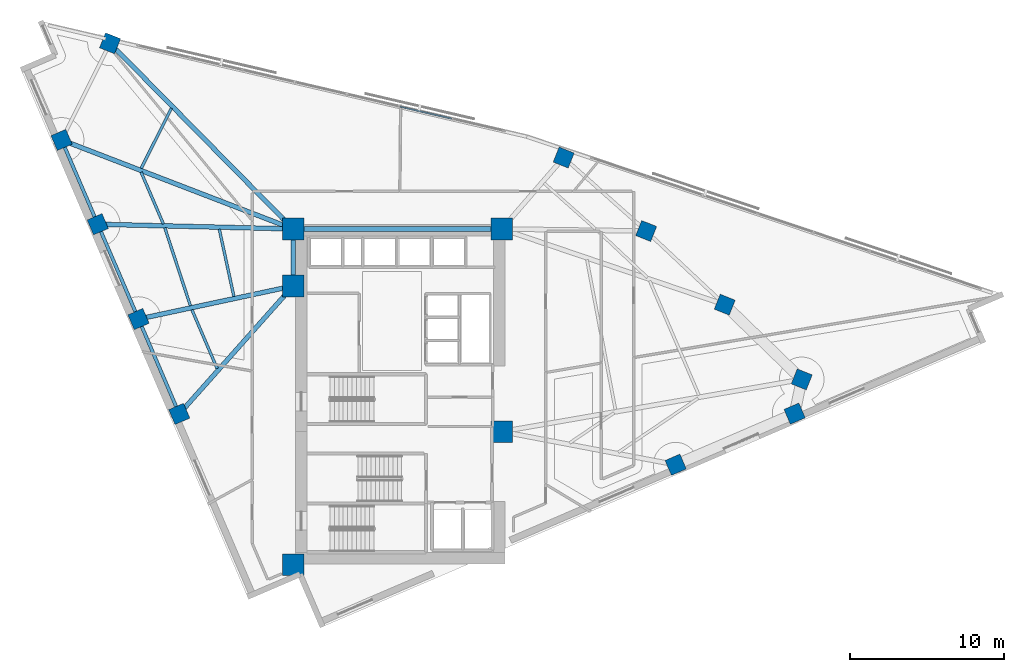
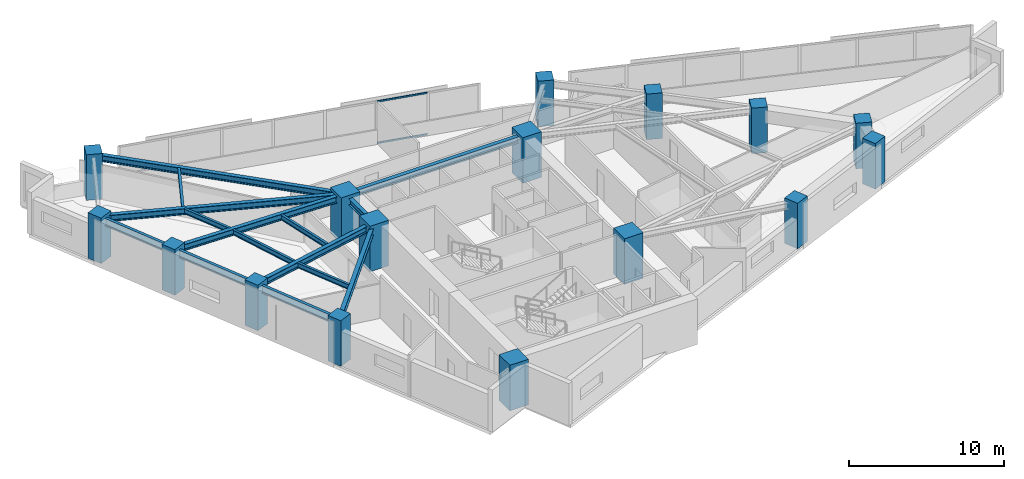
# One storey, part 1 of 14: 16 columns, 15 beams, 2 members, 1 element without a shape of its own.
"""IFC4 building model written with IfcOpenShell, lengths in metres."""

from ifc_helpers import new_model, si_unit, direction, frame, origin, origin_2d, place, context, subcontext, project, spatial, rectangle, hollow_rectangle, i_section, extrude, material, material_profile, profile_set, type_object, element, aggregate, save


model = new_model("IFC4")

# Units and contexts
model_context = context("Model", 3, precision=1e-05, world=origin(), true_north=direction((0.0, 1.0)))
body_context = subcontext(model_context, "Body", "Model", "MODEL_VIEW")
ifc_project = project(units=[si_unit("LENGTHUNIT", "METRE"), si_unit("AREAUNIT", "SQUARE_METRE"), si_unit("VOLUMEUNIT", "CUBIC_METRE"), si_unit("PLANEANGLEUNIT", "RADIAN"), si_unit("MASSUNIT", "GRAM", prefix="KILO")], contexts=[model_context])

# Site, building, storey
site_placement = place(None, origin())
site = spatial("IfcSite", under=ifc_project, at=site_placement, CompositionType="ELEMENT")
building_placement = place(site_placement, origin())
building = spatial("IfcBuilding", under=site, at=building_placement, Name="Narakoshi Arena Tower", CompositionType="ELEMENT")
storey_placement = place(building_placement, frame((0.0, 0.0, 168.300048828125)))
storey = spatial("IfcBuildingStorey", under=building, at=storey_placement, Name="L45", CompositionType="ELEMENT", Elevation=168.300048828125)

# Columns
ifc_material_1 = material(Name="Concrete C50/60", Category="concrete")
ifc_material_profile_1 = material_profile(ifc_material_1, rectangle(XDim=1.050048828125, YDim=1.050048828125, at=origin_2d()), Name="RC1050x1050")
ifc_profile_set_1 = profile_set([ifc_material_profile_1], Name="Concrete C50/60")
column_type_1 = type_object("IfcColumnType", Name="COL-RC1050", PredefinedType="COLUMN", material=ifc_profile_set_1)
for number, where, z_axis, x_axis, name in (
    (1, (96.830078125, 41.2001953125, 0.0), (0.0, 0.0, 1.0), (0.918791210149, 0.394743856384, 0.0), "L45 Tower Perimeter Column TC02"),
    (2, (104.54931640625, 44.5166015625, 0.0), (0.0, 0.0, 1.0), (0.918791210149, 0.394743856384, 0.0), "L45 Tower Perimeter Column TC03"),
    (3, (105.010009765625, 46.73876953125, 0.0), (0.0, 0.0, 1.0), (0.37055743751, 0.928809552872, 0.0), "L45 Tower Perimeter Column TC05"),
    (4, (100.012939453125, 51.58544921875, 0.0), (0.0, 0.0, 1.0), (0.37055743751, 0.928809552872, 0.0), "L45 Tower Perimeter Column TC06"),
    (5, (94.914794921875, 56.36669921875, 0.0), (0.0, 0.0, 1.0), (0.37055743751, 0.928809552872, 0.0), "L45 Tower Perimeter Column TC07"),
    (6, (89.5615234375, 61.134765625, 0.0), (0.0, 0.0, 1.0), (0.37055743751, 0.928809552872, 0.0), "L45 Tower Perimeter Column TC08"),
    (7, (60.12158203125, 68.55126953125, 0.0), (0.0, 0.0, 1.0), (0.37055743751, 0.928809552872, 0.0), "L45 Tower Perimeter Column TC10"),
    (8, (56.9755859375, 62.278564453125, 0.0), (0.0, 0.0, 1.0), (-0.394743856384, 0.918791210149, 0.0), "L45 Tower Perimeter Column TC13"),
    (9, (59.326171875, 56.807373046875, 0.0), (0.0, 0.0, 1.0), (-0.394743856384, 0.918791210149, 0.0), "L45 Tower Perimeter Column TC14"),
    (10, (61.970458984375, 50.652587890625, 0.0), (0.0, 0.0, 1.0), (-0.394743856384, 0.918791210149, 0.0), "L45 Tower Perimeter Column TC15"),
    (11, (64.61474609375, 44.49755859375, 0.0), (0.0, 0.0, 1.0), (-0.394743856384, 0.918791210149, 0.0), "L45 Tower Perimeter Column TC16"),
):
    element("IfcColumn", number, at=place(storey_placement, frame(where, z_axis=z_axis, x_axis=x_axis)), inside=storey, type_object=column_type_1, Name=name, PredefinedType="COLUMN", context=body_context, shape_type="SweptSolid", body=[
        extrude(rectangle(XDim=1.050048828125, YDim=1.050048828125, at=origin_2d()), origin(), (0.0, 0.0, 1.0), 3.599853515625),
    ])
ifc_material_2 = material(Name="Concrete C60/75", Category="concrete")
ifc_material_profile_2 = material_profile(ifc_material_2, rectangle(XDim=1.39990234375, YDim=1.39990234375, at=origin_2d()), Name="RC1400x1400")
ifc_profile_set_2 = profile_set([ifc_material_profile_2], Name="Concrete C60/75")
column_type_2 = type_object("IfcColumnType", Name="COL-RC1400", PredefinedType="COLUMN", material=ifc_profile_set_2)
for number, where, z_axis, x_axis, name in (
    (12, (72.0, 34.699951171875, 0.0), (0.0, 0.0, 1.0), (1.0, 0.0, 0.0), "L45 Core Structural Column CC1"),
    (13, (85.550048828125, 43.35009765625, 0.0), (0.0, 0.0, 1.0), (1.0, 0.0, 0.0), "L45 Core Structural Column CC3"),
    (14, (72.0, 52.800048828125, 0.0), (0.0, 0.0, 1.0), (1.0, 0.0, 0.0), "L45 Core Structural Column CC4"),
    (15, (72.0, 56.5, 0.0), (0.0, 0.0, 1.0), (1.0, 0.0, 0.0), "L45 Core Structural Column CC5"),
    (16, (85.550048828125, 56.5, 0.0), (0.0, 0.0, 1.0), (1.0, 0.0, 0.0), "L45 Core Structural Column CC6"),
):
    element("IfcColumn", number, at=place(storey_placement, frame(where, z_axis=z_axis, x_axis=x_axis)), inside=storey, type_object=column_type_2, Name=name, PredefinedType="COLUMN", context=body_context, shape_type="SweptSolid", body=[
        extrude(rectangle(XDim=1.39990234375, YDim=1.39990234375, at=origin_2d()), origin(), (0.0, 0.0, 1.0), 3.599853515625),
    ])

# Beams
ifc_material_3 = material(Name="Structural steel S355J2", Category="steel")
ifc_material_profile_3 = material_profile(ifc_material_3, i_section(OverallWidth=0.219970703125, OverallDepth=0.60009765625, WebThickness=0.011962890625, FlangeThickness=0.01904296875, FilletRadius=0.02392578125, at=origin_2d()), Name="IPE600")
ifc_profile_set_3 = profile_set([ifc_material_profile_3], Name="Structural steel S355J2")
beam_type_1 = type_object("IfcBeamType", Name="BM-EDGE-600", PredefinedType="BEAM", material=ifc_profile_set_3)
beam_1_placement = place(storey_placement, frame((56.9755859375, 62.278564453125, 3.0400390625), z_axis=(0.394740539552, -0.918792635165, 0.0), x_axis=(0.918792635165, 0.394740539552, 0.0)))
element("IfcBeam", 17, at=beam_1_placement, inside=storey, type_object=beam_type_1, Name="L45 Perimeter Edge Girder 08", PredefinedType="BEAM", context=body_context, shape_type="SweptSolid", body=[
    extrude(i_section(OverallWidth=0.219970703125, OverallDepth=0.60009765625, WebThickness=0.011962890625, FlangeThickness=0.01904296875, FilletRadius=0.02392578125, at=origin_2d()), origin(), (0.0, 0.0, 1.0), 5.954833984375),
])
beam_2_placement = place(storey_placement, frame((59.326171875, 56.807373046875, 3.0400390625), z_axis=(0.394741679056, -0.9187921456, 0.0), x_axis=(0.9187921456, 0.394741679056, 0.0)))
element("IfcBeam", 18, at=beam_2_placement, inside=storey, type_object=beam_type_1, Name="L45 Perimeter Edge Girder 09", PredefinedType="BEAM", context=body_context, shape_type="SweptSolid", body=[
    extrude(i_section(OverallWidth=0.219970703125, OverallDepth=0.60009765625, WebThickness=0.011962890625, FlangeThickness=0.01904296875, FilletRadius=0.02392578125, at=origin_2d()), origin(), (0.0, 0.0, 1.0), 6.69873046875),
])
beam_3_placement = place(storey_placement, frame((61.970458984375, 50.652587890625, 3.0400390625), z_axis=(0.394728461185, -0.918797824296, 0.0), x_axis=(0.918797824296, 0.394728461185, 0.0)))
element("IfcBeam", 19, at=beam_3_placement, inside=storey, type_object=beam_type_1, Name="L45 Perimeter Edge Girder 10", PredefinedType="BEAM", context=body_context, shape_type="SweptSolid", body=[
    extrude(i_section(OverallWidth=0.219970703125, OverallDepth=0.60009765625, WebThickness=0.011962890625, FlangeThickness=0.01904296875, FilletRadius=0.02392578125, at=origin_2d()), origin(), (0.0, 0.0, 1.0), 6.698974609375),
])
ifc_material_profile_4 = material_profile(ifc_material_3, i_section(OverallWidth=0.300048828125, OverallDepth=0.5, WebThickness=0.014404296875, FlangeThickness=0.028076171875, FilletRadius=0.027099609375, at=origin_2d()), Name="HE500B")
ifc_profile_set_4 = profile_set([ifc_material_profile_4], Name="Structural steel S355J2")
beam_type_2 = type_object("IfcBeamType", Name="BM-PRI-500", PredefinedType="BEAM", material=ifc_profile_set_4)
beam_4_placement = place(storey_placement, frame((72.0, 56.5, 3.08984375), z_axis=(-0.701980816252, 0.71219585341, 0.0), x_axis=(-0.71219585341, -0.701980816252, 0.0)))
element("IfcBeam", 20, at=beam_4_placement, inside=storey, type_object=beam_type_2, Name="L45 Radial Primary Floor Girder 07", PredefinedType="BEAM", context=body_context, shape_type="SweptSolid", body=[
    extrude(i_section(OverallWidth=0.300048828125, OverallDepth=0.5, WebThickness=0.014404296875, FlangeThickness=0.028076171875, FilletRadius=0.027099609375, at=origin_2d()), origin(), (0.0, 0.0, 1.0), 16.92138671875),
])
beam_5_placement = place(storey_placement, frame((72.0, 56.5, 3.08984375), z_axis=(-0.933346778866, 0.35897603037, 0.0), x_axis=(-0.35897603037, -0.933346778866, 0.0)))
element("IfcBeam", 21, at=beam_5_placement, inside=storey, type_object=beam_type_2, Name="L45 Radial Primary Floor Girder 08", PredefinedType="BEAM", context=body_context, shape_type="SweptSolid", body=[
    extrude(i_section(OverallWidth=0.300048828125, OverallDepth=0.5, WebThickness=0.014404296875, FlangeThickness=0.028076171875, FilletRadius=0.027099609375, at=origin_2d()), origin(), (0.0, 0.0, 1.0), 16.097412109375),
])
beam_6_placement = place(storey_placement, frame((72.0, 56.5, 3.08984375), z_axis=(-0.999706035824, 0.024245451901, 0.0), x_axis=(-0.024245451901, -0.999706035824, 0.0)))
element("IfcBeam", 22, at=beam_6_placement, inside=storey, type_object=beam_type_2, Name="L45 Radial Primary Floor Girder 09", PredefinedType="BEAM", context=body_context, shape_type="SweptSolid", body=[
    extrude(i_section(OverallWidth=0.300048828125, OverallDepth=0.5, WebThickness=0.014404296875, FlangeThickness=0.028076171875, FilletRadius=0.027099609375, at=origin_2d()), origin(), (0.0, 0.0, 1.0), 12.677490234375),
])
beam_7_placement = place(storey_placement, frame((72.0, 52.800048828125, 3.08984375), z_axis=(-0.977836885657, -0.209368156721, 0.0), x_axis=(0.209368156721, -0.977836885657, 0.0)))
element("IfcBeam", 23, at=beam_7_placement, inside=storey, type_object=beam_type_2, Name="L45 Radial Primary Floor Girder 10", PredefinedType="BEAM", context=body_context, shape_type="SweptSolid", body=[
    extrude(i_section(OverallWidth=0.300048828125, OverallDepth=0.5, WebThickness=0.014404296875, FlangeThickness=0.028076171875, FilletRadius=0.027099609375, at=origin_2d()), origin(), (0.0, 0.0, 1.0), 10.2568359375),
])
beam_8_placement = place(storey_placement, frame((72.0, 52.800048828125, 3.08984375), z_axis=(-0.664628360587, -0.747174104412, 0.0), x_axis=(0.747174104412, -0.664628360587, 0.0)))
element("IfcBeam", 24, at=beam_8_placement, inside=storey, type_object=beam_type_2, Name="L45 Radial Primary Floor Girder 11", PredefinedType="BEAM", context=body_context, shape_type="SweptSolid", body=[
    extrude(i_section(OverallWidth=0.300048828125, OverallDepth=0.5, WebThickness=0.014404296875, FlangeThickness=0.028076171875, FilletRadius=0.027099609375, at=origin_2d()), origin(), (0.0, 0.0, 1.0), 11.11181640625),
])
beam_9_placement = place(storey_placement, frame((72.0, 52.800048828125, 3.08984375), z_axis=(0.0, 1.0, 0.0), x_axis=(-1.0, 0.0, 0.0)))
element("IfcBeam", 25, at=beam_9_placement, inside=storey, type_object=beam_type_2, Name="L45 Core Perimeter Frame Beam CC4-CC5", PredefinedType="BEAM", context=body_context, shape_type="SweptSolid", body=[
    extrude(i_section(OverallWidth=0.300048828125, OverallDepth=0.5, WebThickness=0.014404296875, FlangeThickness=0.028076171875, FilletRadius=0.027099609375, at=origin_2d()), origin(), (0.0, 0.0, 1.0), 3.699951171875),
])
beam_10_placement = place(storey_placement, frame((72.0, 56.5, 3.08984375), z_axis=(1.0, 0.0, 0.0), x_axis=(0.0, 1.0, 0.0)))
element("IfcBeam", 26, at=beam_10_placement, inside=storey, type_object=beam_type_2, Name="L45 Core Perimeter Frame Beam CC5-CC6", PredefinedType="BEAM", context=body_context, shape_type="SweptSolid", body=[
    extrude(i_section(OverallWidth=0.300048828125, OverallDepth=0.5, WebThickness=0.014404296875, FlangeThickness=0.028076171875, FilletRadius=0.027099609375, at=origin_2d()), origin(), (0.0, 0.0, 1.0), 13.550048828125),
])
ifc_material_profile_5 = material_profile(ifc_material_3, i_section(OverallWidth=0.179931640625, OverallDepth=0.39990234375, WebThickness=0.008544921875, FlangeThickness=0.013427734375, FilletRadius=0.02099609375, at=origin_2d()), Name="IPE400")
ifc_profile_set_5 = profile_set([ifc_material_profile_5], Name="Structural steel S355J2")
beam_type_3 = type_object("IfcBeamType", Name="BM-SEC-400", PredefinedType="JOIST", material=ifc_profile_set_5)
beam_11_placement = place(storey_placement, frame((64.099853515625, 64.333251953125, 3.139892578125), z_axis=(-0.448355109233, -0.893855523015, 0.0), x_axis=(0.893855523015, -0.448355109233, 0.0)))
element("IfcBeam", 27, at=beam_11_placement, inside=storey, type_object=beam_type_3, Name="L45 Composite Secondary Floor Joist 07", PredefinedType="JOIST", context=body_context, shape_type="SweptSolid", body=[
    extrude(i_section(OverallWidth=0.179931640625, OverallDepth=0.39990234375, WebThickness=0.008544921875, FlangeThickness=0.013427734375, FilletRadius=0.02099609375, at=origin_2d()), origin(), (0.0, 0.0, 1.0), 4.361572265625),
])
beam_12_placement = place(storey_placement, frame((62.13720703125, 60.189697265625, 3.139892578125), z_axis=(0.394700077983, -0.918810017599, 0.0), x_axis=(0.918810017599, 0.394700077983, 0.0)))
element("IfcBeam", 28, at=beam_12_placement, inside=storey, type_object=beam_type_3, Name="L45 Composite Secondary Floor Joist 08", PredefinedType="JOIST", context=body_context, shape_type="SweptSolid", body=[
    extrude(i_section(OverallWidth=0.179931640625, OverallDepth=0.39990234375, WebThickness=0.008544921875, FlangeThickness=0.013427734375, FilletRadius=0.02099609375, at=origin_2d()), origin(), (0.0, 0.0, 1.0), 3.659912109375),
])
beam_13_placement = place(storey_placement, frame((67.21240234375, 56.48486328125, 3.139892578125), z_axis=(0.212001112403, -0.977269424642, 0.0), x_axis=(0.977269424642, 0.212001112403, 0.0)))
element("IfcBeam", 29, at=beam_13_placement, inside=storey, type_object=beam_type_3, Name="L45 Composite Secondary Floor Joist 09", PredefinedType="JOIST", context=body_context, shape_type="SweptSolid", body=[
    extrude(i_section(OverallWidth=0.179931640625, OverallDepth=0.39990234375, WebThickness=0.008544921875, FlangeThickness=0.013427734375, FilletRadius=0.02099609375, at=origin_2d()), origin(), (0.0, 0.0, 1.0), 4.470458984375),
])
beam_14_placement = place(storey_placement, frame((63.67724609375, 56.57470703125, 3.139892578125), z_axis=(0.311702562929, -0.950179726296, 0.0), x_axis=(0.950179726296, 0.311702562929, 0.0)))
element("IfcBeam", 30, at=beam_14_placement, inside=storey, type_object=beam_type_3, Name="L45 Composite Secondary Floor Joist 10", PredefinedType="JOIST", context=body_context, shape_type="SweptSolid", body=[
    extrude(i_section(OverallWidth=0.179931640625, OverallDepth=0.39990234375, WebThickness=0.008544921875, FlangeThickness=0.013427734375, FilletRadius=0.02099609375, at=origin_2d()), origin(), (0.0, 0.0, 1.0), 5.329345703125),
])
beam_15_placement = place(storey_placement, frame((65.433837890625, 51.258544921875, 3.139892578125), z_axis=(0.394735391015, -0.918794847113, 0.0), x_axis=(0.918794847113, 0.394735391015, 0.0)))
element("IfcBeam", 31, at=beam_15_placement, inside=storey, type_object=beam_type_3, Name="L45 Composite Secondary Floor Joist 11", PredefinedType="JOIST", context=body_context, shape_type="SweptSolid", body=[
    extrude(i_section(OverallWidth=0.179931640625, OverallDepth=0.39990234375, WebThickness=0.008544921875, FlangeThickness=0.013427734375, FilletRadius=0.02099609375, at=origin_2d()), origin(), (0.0, 0.0, 1.0), 4.1513671875),
])

# Curtain wall, members
ifc_material_4 = material(Name="Anodised bronze aluminium 6063-T6", Category="aluminium")
curtain_wall_type = type_object("IfcCurtainWallType", Name="CW-HYP-MID", PredefinedType="NOTDEFINED", material=ifc_material_4)
curtain_wall_placement = place(storey_placement, origin())
curtain_wall = element("IfcCurtainWall", 32, at=curtain_wall_placement, inside=storey, type_object=curtain_wall_type, Name="L45 Folded Hypotenuse Curtain Wall 2-1", PredefinedType="NOTDEFINED")
ifc_material_profile_6 = material_profile(ifc_material_4, hollow_rectangle(XDim=0.06494140625, YDim=0.1298828125, WallThickness=0.00390625, OuterFilletRadius=0.0048828125, at=origin_2d()), Name="TRN130x65x4")
ifc_profile_set_6 = profile_set([ifc_material_profile_6], Name="Anodised bronze aluminium 6063-T6")
member_type = type_object("IfcMemberType", Name="MEM-TRN-130", PredefinedType="USERDEFINED", material=ifc_profile_set_6)
member_1_placement = place(storey_placement, frame((82.27587890625, 63.6611328125, 0.032470703125), z_axis=(-0.973960713384, 0.226716847155, 0.0), x_axis=(-0.226716847155, -0.973960713384, 0.0)))
member_1 = element("IfcMember", 33, at=member_1_placement, type_object=member_type, Name="CW-02 transom 2.1", ObjectType="TRANSOM", PredefinedType="USERDEFINED", context=body_context, shape_type="SweptSolid", body=[
    extrude(hollow_rectangle(XDim=0.06494140625, YDim=0.1298828125, WallThickness=0.00390625, OuterFilletRadius=0.0048828125, at=origin_2d()), origin(), (0.0, 0.0, 1.0), 3.416748046875),
])
member_2_placement = place(storey_placement, frame((82.27587890625, 63.6611328125, 3.307373046875), z_axis=(-0.973960713384, 0.226716847155, 0.0), x_axis=(-0.226716847155, -0.973960713384, 0.0)))
member_2 = element("IfcMember", 34, at=member_2_placement, type_object=member_type, Name="CW-02 transom 2.2", ObjectType="TRANSOM", PredefinedType="USERDEFINED", context=body_context, shape_type="SweptSolid", body=[
    extrude(hollow_rectangle(XDim=0.06494140625, YDim=0.1298828125, WallThickness=0.00390625, OuterFilletRadius=0.0048828125, at=origin_2d()), origin(), (0.0, 0.0, 1.0), 3.416748046875),
])
aggregate(curtain_wall, [member_1, member_2])

save(model, "model.ifc")
